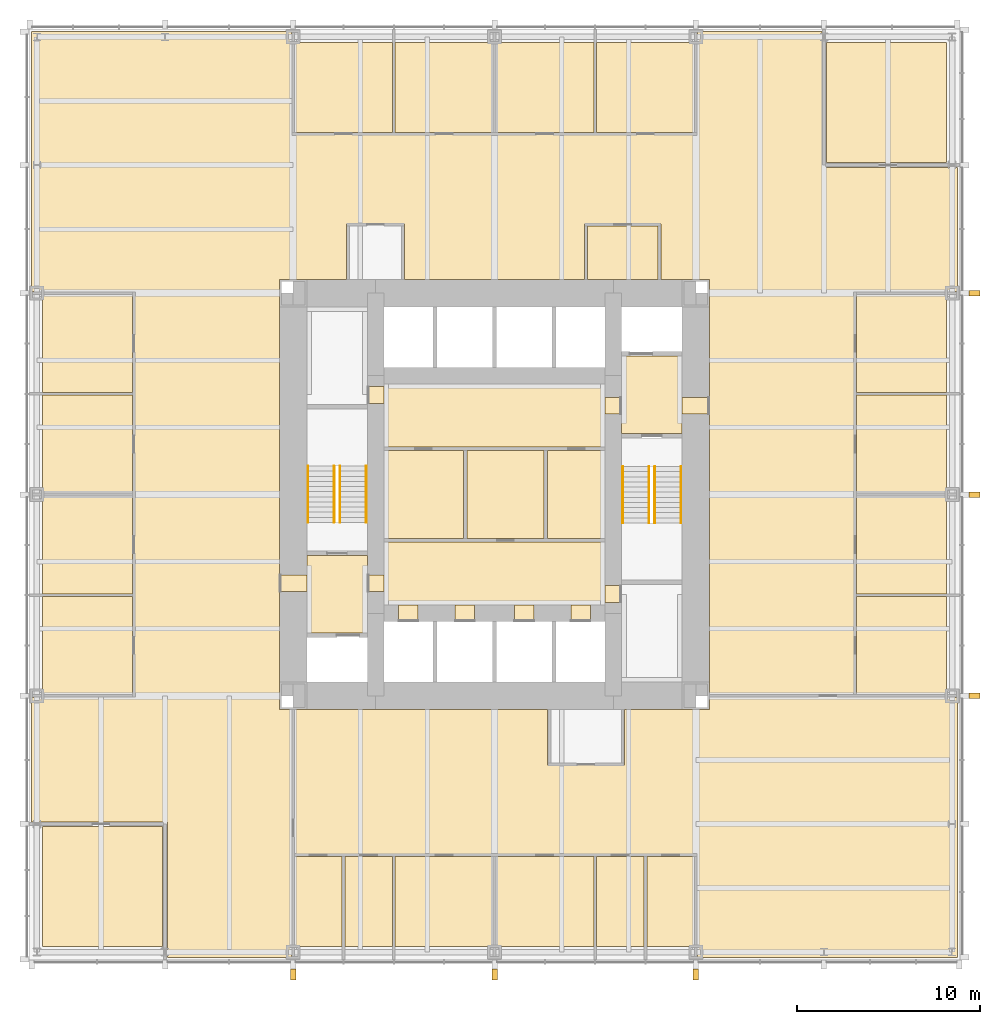
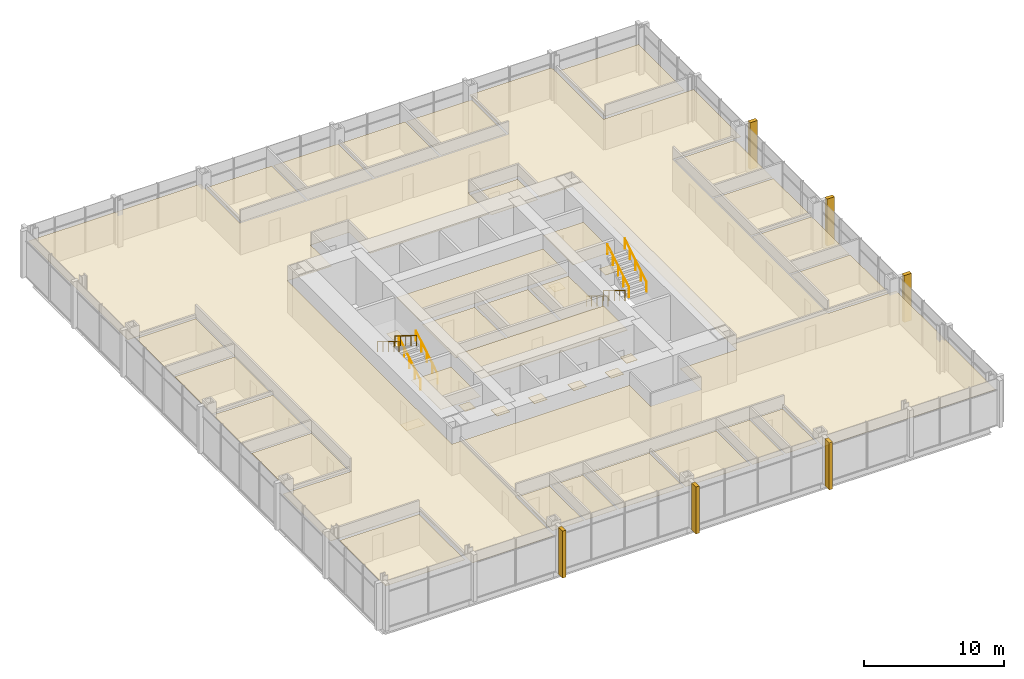
# One storey, part 12 of 12: 46 coverings, 8 railings.
"""IFC4 building model written with IfcOpenShell, lengths in metres."""

from ifc_helpers import new_model, si_unit, direction, frame, origin, origin_2d, place, context, subcontext, project, spatial, polyline, rectangle, circle, outline, extrude, material, layer, layer_set, type_object, element, save


model = new_model("IFC4")

# Units and contexts
model_context = context("Model", 3, precision=1e-05, world=origin(), true_north=direction((0.0, 1.0)))
body_context = subcontext(model_context, "Body", "Model", "MODEL_VIEW")
ifc_project = project(units=[si_unit("LENGTHUNIT", "METRE"), si_unit("AREAUNIT", "SQUARE_METRE"), si_unit("VOLUMEUNIT", "CUBIC_METRE"), si_unit("PLANEANGLEUNIT", "RADIAN"), si_unit("MASSUNIT", "GRAM", prefix="KILO")], contexts=[model_context])

# Site, building, storey
site_placement = place(None, origin())
site = spatial("IfcSite", under=ifc_project, at=site_placement, CompositionType="ELEMENT")
building_placement = place(site_placement, origin())
building = spatial("IfcBuilding", under=site, at=building_placement, Name="Trevanion Tower", CompositionType="ELEMENT")
storey_placement = place(building_placement, frame((0.0, 0.0, 73.39990234375)))
storey = spatial("IfcBuildingStorey", under=building, at=storey_placement, Name="L17", CompositionType="ELEMENT", Elevation=73.39990234375)

# Coverings
ifc_material_1 = material(Name="Fibrous plaster coffers on suspended steel grid", Category="steel")
ifc_layer_1 = layer(ifc_material_1, 0.050048828125)
ifc_layer_set_1 = layer_set([ifc_layer_1], Name="CL1 coffered fibrous plaster ceiling 50")
covering_type_1 = type_object("IfcCoveringType", Name="CL1 coffered fibrous plaster ceiling 50", PredefinedType="CEILING", material=ifc_layer_set_1)
covering_1_placement = place(storey_placement, frame((0.0, 0.0, 3.0)))
element("IfcCovering", 1, at=covering_1_placement, inside=storey, type_object=covering_type_1, Name="CL1 L17-LBS", PredefinedType="CEILING", context=body_context, shape_type="SweptSolid", body=[
    extrude(outline(polyline([(6.050048828125, -6.050048828125), (6.050048828125, -2.60009765625), (-6.050048828125, -2.60009765625), (-6.050048828125, -6.050048828125), (6.050048828125, -6.050048828125)])), origin(), (0.0, 0.0, 1.0), 0.050048828125),
])
ifc_material_2 = material(Name="Mineral fibre acoustic tiles in exposed grid", Category="mineral fibre")
ifc_layer_2 = layer(ifc_material_2, 0.02001953125)
ifc_layer_set_2 = layer_set([ifc_layer_2], Name="CL2 acoustic tile ceiling 20")
covering_type_2 = type_object("IfcCoveringType", Name="CL2 acoustic tile ceiling 20", PredefinedType="CEILING", material=ifc_layer_set_2)
covering_2_placement = place(storey_placement, frame((0.0, 0.0, 2.75)))
element("IfcCovering", 2, at=covering_2_placement, inside=storey, type_object=covering_type_2, Name="CL2 L17-LBN", PredefinedType="CEILING", context=body_context, shape_type="SweptSolid", body=[
    extrude(outline(polyline([(6.050048828125, 2.60009765625), (6.050048828125, 6.050048828125), (-6.050048828125, 6.050048828125), (-6.050048828125, 2.60009765625), (6.050048828125, 2.60009765625)])), origin(), (0.0, 0.0, 1.0), 0.02001953125),
])
covering_3_placement = place(storey_placement, frame((0.0, 0.0, 2.75)))
element("IfcCovering", 3, at=covering_3_placement, inside=storey, type_object=covering_type_2, Name="CL2 L17-OF", PredefinedType="CEILING", context=body_context, shape_type="SweptSolid", body=[
    extrude(outline(polyline([(18.14990234375, 18.14990234375), (18.14990234375, 24.699951171875), (24.699951171875, 24.699951171875), (24.699951171875, 18.14990234375), (18.14990234375, 18.14990234375)])), origin(), (0.0, 0.0, 1.0), 0.02001953125),
])
covering_4_placement = place(storey_placement, frame((0.0, 0.0, 2.75)))
element("IfcCovering", 4, at=covering_4_placement, inside=storey, type_object=covering_type_2, Name="CL2 L17-OF2", PredefinedType="CEILING", context=body_context, shape_type="SweptSolid", body=[
    extrude(outline(polyline([(-18.14990234375, -18.14990234375), (-18.14990234375, -24.699951171875), (-24.699951171875, -24.699951171875), (-24.699951171875, -18.14990234375), (-18.14990234375, -18.14990234375)])), origin(), (0.0, 0.0, 1.0), 0.02001953125),
])
covering_5_placement = place(storey_placement, frame((0.0, 0.0, 2.75)))
element("IfcCovering", 5, at=covering_5_placement, inside=storey, type_object=covering_type_2, Name="CL2 L17-MR", PredefinedType="CEILING", context=body_context, shape_type="SweptSolid", body=[
    extrude(outline(polyline([(10.925048828125, 19.77490234375), (5.574951171875, 19.77490234375), (5.574951171875, 24.699951171875), (10.925048828125, 24.699951171875), (10.925048828125, 19.77490234375)])), origin(), (0.0, 0.0, 1.0), 0.02001953125),
])
covering_6_placement = place(storey_placement, frame((0.0, 0.0, 2.75)))
element("IfcCovering", 6, at=covering_6_placement, inside=storey, type_object=covering_type_2, Name="CL2 L17-MR2", PredefinedType="CEILING", context=body_context, shape_type="SweptSolid", body=[
    extrude(outline(polyline([(5.425048828125, 19.77490234375), (0.074951171875, 19.77490234375), (0.074951171875, 24.699951171875), (5.425048828125, 24.699951171875), (5.425048828125, 19.77490234375)])), origin(), (0.0, 0.0, 1.0), 0.02001953125),
])
covering_7_placement = place(storey_placement, frame((0.0, 0.0, 2.75)))
element("IfcCovering", 7, at=covering_7_placement, inside=storey, type_object=covering_type_2, Name="CL2 L17-MR3", PredefinedType="CEILING", context=body_context, shape_type="SweptSolid", body=[
    extrude(outline(polyline([(-0.074951171875, 19.77490234375), (-5.425048828125, 19.77490234375), (-5.425048828125, 24.699951171875), (-0.074951171875, 24.699951171875), (-0.074951171875, 19.77490234375)])), origin(), (0.0, 0.0, 1.0), 0.02001953125),
])
covering_8_placement = place(storey_placement, frame((0.0, 0.0, 2.75)))
element("IfcCovering", 8, at=covering_8_placement, inside=storey, type_object=covering_type_2, Name="CL2 L17-MR4", PredefinedType="CEILING", context=body_context, shape_type="SweptSolid", body=[
    extrude(outline(polyline([(-5.574951171875, 19.77490234375), (-10.925048828125, 19.77490234375), (-10.925048828125, 24.699951171875), (-5.574951171875, 24.699951171875), (-5.574951171875, 19.77490234375)])), origin(), (0.0, 0.0, 1.0), 0.02001953125),
])
covering_9_placement = place(storey_placement, frame((0.0, 0.0, 2.75)))
element("IfcCovering", 9, at=covering_9_placement, inside=storey, type_object=covering_type_2, Name="CL2 L17-FR", PredefinedType="CEILING", context=body_context, shape_type="SweptSolid", body=[
    extrude(outline(polyline([(-10.925048828125, -19.77490234375), (-8.324951171875, -19.77490234375), (-8.324951171875, -24.699951171875), (-10.925048828125, -24.699951171875), (-10.925048828125, -19.77490234375)])), origin(), (0.0, 0.0, 1.0), 0.02001953125),
])
covering_10_placement = place(storey_placement, frame((0.0, 0.0, 2.75)))
element("IfcCovering", 10, at=covering_10_placement, inside=storey, type_object=covering_type_2, Name="CL2 L17-FR2", PredefinedType="CEILING", context=body_context, shape_type="SweptSolid", body=[
    extrude(outline(polyline([(-8.175048828125, -19.77490234375), (-5.574951171875, -19.77490234375), (-5.574951171875, -24.699951171875), (-8.175048828125, -24.699951171875), (-8.175048828125, -19.77490234375)])), origin(), (0.0, 0.0, 1.0), 0.02001953125),
])
covering_11_placement = place(storey_placement, frame((0.0, 0.0, 2.75)))
element("IfcCovering", 11, at=covering_11_placement, inside=storey, type_object=covering_type_2, Name="CL2 L17-MR5", PredefinedType="CEILING", context=body_context, shape_type="SweptSolid", body=[
    extrude(outline(polyline([(-5.425048828125, -19.77490234375), (-0.074951171875, -19.77490234375), (-0.074951171875, -24.699951171875), (-5.425048828125, -24.699951171875), (-5.425048828125, -19.77490234375)])), origin(), (0.0, 0.0, 1.0), 0.02001953125),
])
covering_12_placement = place(storey_placement, frame((0.0, 0.0, 2.75)))
element("IfcCovering", 12, at=covering_12_placement, inside=storey, type_object=covering_type_2, Name="CL2 L17-MR6", PredefinedType="CEILING", context=body_context, shape_type="SweptSolid", body=[
    extrude(outline(polyline([(0.074951171875, -19.77490234375), (5.425048828125, -19.77490234375), (5.425048828125, -24.699951171875), (0.074951171875, -24.699951171875), (0.074951171875, -19.77490234375)])), origin(), (0.0, 0.0, 1.0), 0.02001953125),
])
covering_13_placement = place(storey_placement, frame((0.0, 0.0, 2.75)))
element("IfcCovering", 13, at=covering_13_placement, inside=storey, type_object=covering_type_2, Name="CL2 L17-FR3", PredefinedType="CEILING", context=body_context, shape_type="SweptSolid", body=[
    extrude(outline(polyline([(5.574951171875, -19.77490234375), (8.175048828125, -19.77490234375), (8.175048828125, -24.699951171875), (5.574951171875, -24.699951171875), (5.574951171875, -19.77490234375)])), origin(), (0.0, 0.0, 1.0), 0.02001953125),
])
covering_14_placement = place(storey_placement, frame((0.0, 0.0, 2.75)))
element("IfcCovering", 14, at=covering_14_placement, inside=storey, type_object=covering_type_2, Name="CL2 L17-FR4", PredefinedType="CEILING", context=body_context, shape_type="SweptSolid", body=[
    extrude(outline(polyline([(8.324951171875, -19.77490234375), (10.925048828125, -19.77490234375), (10.925048828125, -24.699951171875), (8.324951171875, -24.699951171875), (8.324951171875, -19.77490234375)])), origin(), (0.0, 0.0, 1.0), 0.02001953125),
])
covering_15_placement = place(storey_placement, frame((0.0, 0.0, 2.75)))
element("IfcCovering", 15, at=covering_15_placement, inside=storey, type_object=covering_type_2, Name="CL2 L17-OF3", PredefinedType="CEILING", context=body_context, shape_type="SweptSolid", body=[
    extrude(outline(polyline([(19.77490234375, -10.925048828125), (19.77490234375, -5.574951171875), (24.699951171875, -5.574951171875), (24.699951171875, -10.925048828125), (19.77490234375, -10.925048828125)])), origin(), (0.0, 0.0, 1.0), 0.02001953125),
])
covering_16_placement = place(storey_placement, frame((0.0, 0.0, 2.75)))
element("IfcCovering", 16, at=covering_16_placement, inside=storey, type_object=covering_type_2, Name="CL2 L17-OF4", PredefinedType="CEILING", context=body_context, shape_type="SweptSolid", body=[
    extrude(outline(polyline([(19.77490234375, -5.425048828125), (19.77490234375, -0.074951171875), (24.699951171875, -0.074951171875), (24.699951171875, -5.425048828125), (19.77490234375, -5.425048828125)])), origin(), (0.0, 0.0, 1.0), 0.02001953125),
])
covering_17_placement = place(storey_placement, frame((0.0, 0.0, 2.75)))
element("IfcCovering", 17, at=covering_17_placement, inside=storey, type_object=covering_type_2, Name="CL2 L17-OF5", PredefinedType="CEILING", context=body_context, shape_type="SweptSolid", body=[
    extrude(outline(polyline([(19.77490234375, 0.074951171875), (19.77490234375, 5.425048828125), (24.699951171875, 5.425048828125), (24.699951171875, 0.074951171875), (19.77490234375, 0.074951171875)])), origin(), (0.0, 0.0, 1.0), 0.02001953125),
])
covering_18_placement = place(storey_placement, frame((0.0, 0.0, 2.75)))
element("IfcCovering", 18, at=covering_18_placement, inside=storey, type_object=covering_type_2, Name="CL2 L17-MR7", PredefinedType="CEILING", context=body_context, shape_type="SweptSolid", body=[
    extrude(outline(polyline([(19.77490234375, 5.574951171875), (19.77490234375, 10.925048828125), (24.699951171875, 10.925048828125), (24.699951171875, 5.574951171875), (19.77490234375, 5.574951171875)])), origin(), (0.0, 0.0, 1.0), 0.02001953125),
])
covering_19_placement = place(storey_placement, frame((0.0, 0.0, 2.75)))
element("IfcCovering", 19, at=covering_19_placement, inside=storey, type_object=covering_type_2, Name="CL2 L17-OF6", PredefinedType="CEILING", context=body_context, shape_type="SweptSolid", body=[
    extrude(outline(polyline([(-19.77490234375, 10.925048828125), (-19.77490234375, 5.574951171875), (-24.699951171875, 5.574951171875), (-24.699951171875, 10.925048828125), (-19.77490234375, 10.925048828125)])), origin(), (0.0, 0.0, 1.0), 0.02001953125),
])
covering_20_placement = place(storey_placement, frame((0.0, 0.0, 2.75)))
element("IfcCovering", 20, at=covering_20_placement, inside=storey, type_object=covering_type_2, Name="CL2 L17-OF7", PredefinedType="CEILING", context=body_context, shape_type="SweptSolid", body=[
    extrude(outline(polyline([(-19.77490234375, 5.425048828125), (-19.77490234375, 0.074951171875), (-24.699951171875, 0.074951171875), (-24.699951171875, 5.425048828125), (-19.77490234375, 5.425048828125)])), origin(), (0.0, 0.0, 1.0), 0.02001953125),
])
covering_21_placement = place(storey_placement, frame((0.0, 0.0, 2.75)))
element("IfcCovering", 21, at=covering_21_placement, inside=storey, type_object=covering_type_2, Name="CL2 L17-OF8", PredefinedType="CEILING", context=body_context, shape_type="SweptSolid", body=[
    extrude(outline(polyline([(-19.77490234375, -0.074951171875), (-19.77490234375, -5.425048828125), (-24.699951171875, -5.425048828125), (-24.699951171875, -0.074951171875), (-19.77490234375, -0.074951171875)])), origin(), (0.0, 0.0, 1.0), 0.02001953125),
])
covering_22_placement = place(storey_placement, frame((0.0, 0.0, 2.75)))
element("IfcCovering", 22, at=covering_22_placement, inside=storey, type_object=covering_type_2, Name="CL2 L17-MR8", PredefinedType="CEILING", context=body_context, shape_type="SweptSolid", body=[
    extrude(outline(polyline([(-19.77490234375, -5.574951171875), (-19.77490234375, -10.925048828125), (-24.699951171875, -10.925048828125), (-24.699951171875, -5.574951171875), (-19.77490234375, -5.574951171875)])), origin(), (0.0, 0.0, 1.0), 0.02001953125),
])
covering_23_placement = place(storey_placement, frame((0.0, 0.0, 2.75)))
element("IfcCovering", 23, at=covering_23_placement, inside=storey, type_object=covering_type_2, Name="CL2 L17-OP", PredefinedType="CEILING", context=body_context, shape_type="SweptSolid", body=[
    extrude(outline(polyline([(-11.0, -11.75), (-11.0, -19.679931640625), (-11.094970703125, -19.679931640625), (-11.094970703125, -25.300048828125), (-17.8798828125, -25.300048828125), (-17.8798828125, -17.8798828125), (-25.300048828125, -17.8798828125), (-25.300048828125, -11.094970703125), (-19.679931640625, -11.094970703125), (-19.679931640625, 11.094970703125), (-25.300048828125, 11.094970703125), (-25.300048828125, 25.300048828125), (-11.094970703125, 25.300048828125), (-11.094970703125, 19.679931640625), (11.094970703125, 19.679931640625), (11.094970703125, 25.300048828125), (17.8798828125, 25.300048828125), (17.8798828125, 17.8798828125), (25.300048828125, 17.8798828125), (25.300048828125, 11.094970703125), (19.679931640625, 11.094970703125), (19.679931640625, -11.0), (11.75, -11.0), (11.75, 11.75), (9.094970703125, 11.75), (9.094970703125, 14.77001953125), (4.905029296875, 14.77001953125), (4.905029296875, 11.75), (-4.905029296875, 11.75), (-4.905029296875, 14.77001953125), (-8.094970703125, 14.77001953125), (-8.094970703125, 11.75), (-11.75, 11.75), (-11.75, -11.75), (-11.0, -11.75)])), origin(), (0.0, 0.0, 1.0), 0.02001953125),
])
covering_24_placement = place(storey_placement, frame((0.0, 0.0, 2.75)))
element("IfcCovering", 24, at=covering_24_placement, inside=storey, type_object=covering_type_2, Name="CL2 L17-OP2", PredefinedType="CEILING", context=body_context, shape_type="SweptSolid", body=[
    extrude(outline(polyline([(2.905029296875, -11.75), (2.905029296875, -14.77001953125), (7.094970703125, -14.77001953125), (7.094970703125, -11.75), (11.75, -11.75), (11.75, -11.0), (19.679931640625, -11.0), (19.679931640625, -11.094970703125), (25.300048828125, -11.094970703125), (25.300048828125, -25.300048828125), (11.094970703125, -25.300048828125), (11.094970703125, -19.679931640625), (-11.0, -19.679931640625), (-11.0, -11.75), (2.905029296875, -11.75)])), origin(), (0.0, 0.0, 1.0), 0.02001953125),
])
ifc_material_3 = material(Name="Gypsum plasterboard on suspended metal furring", Category="gypsum")
ifc_layer_3 = layer(ifc_material_3, 0.012939453125)
ifc_layer_set_3 = layer_set([ifc_layer_3], Name="CL3 plasterboard ceiling 13")
covering_type_3 = type_object("IfcCoveringType", Name="CL3 plasterboard ceiling 13", PredefinedType="CEILING", material=ifc_layer_set_3)
covering_25_placement = place(storey_placement, frame((0.0, 0.0, 2.7001953125)))
element("IfcCovering", 25, at=covering_25_placement, inside=storey, type_object=covering_type_3, Name="CL3 L17-FV1", PredefinedType="CEILING", context=body_context, shape_type="SweptSolid", body=[
    extrude(outline(polyline([(10.25, 3.324951171875), (10.25, 7.574951171875), (6.949951171875, 7.574951171875), (6.949951171875, 3.324951171875), (10.25, 3.324951171875)])), origin(), (0.0, 0.0, 1.0), 0.012939453125),
])
covering_26_placement = place(storey_placement, frame((0.0, 0.0, 2.7001953125)))
element("IfcCovering", 26, at=covering_26_placement, inside=storey, type_object=covering_type_3, Name="CL3 L17-FV2", PredefinedType="CEILING", context=body_context, shape_type="SweptSolid", body=[
    extrude(outline(polyline([(-10.25, -3.324951171875), (-10.25, -7.574951171875), (-6.949951171875, -7.574951171875), (-6.949951171875, -3.324951171875), (-10.25, -3.324951171875)])), origin(), (0.0, 0.0, 1.0), 0.012939453125),
])
ifc_material_4 = material(Name="Moisture-resistant gypsum board on suspended metal furring", Category="gypsum")
ifc_layer_4 = layer(ifc_material_4, 0.01611328125)
ifc_layer_set_4 = layer_set([ifc_layer_4], Name="CL4 moisture-resistant board ceiling 16")
covering_type_4 = type_object("IfcCoveringType", Name="CL4 moisture-resistant board ceiling 16", PredefinedType="CEILING", material=ifc_layer_set_4)
covering_27_placement = place(storey_placement, frame((0.0, 0.0, 2.60009765625)))
element("IfcCovering", 27, at=covering_27_placement, inside=storey, type_object=covering_type_4, Name="CL4 L17-WCF", PredefinedType="CEILING", context=body_context, shape_type="SweptSolid", body=[
    extrude(outline(polyline([(-1.699951171875, -2.39990234375), (-1.699951171875, 2.39990234375), (-6.050048828125, 2.39990234375), (-6.050048828125, -2.39990234375), (-1.699951171875, -2.39990234375)])), origin(), (0.0, 0.0, 1.0), 0.01611328125),
])
covering_28_placement = place(storey_placement, frame((0.0, 0.0, 2.60009765625)))
element("IfcCovering", 28, at=covering_28_placement, inside=storey, type_object=covering_type_4, Name="CL4 L17-WCM", PredefinedType="CEILING", context=body_context, shape_type="SweptSolid", body=[
    extrude(outline(polyline([(2.699951171875, -2.39990234375), (2.699951171875, 2.39990234375), (-1.5, 2.39990234375), (-1.5, -2.39990234375), (2.699951171875, -2.39990234375)])), origin(), (0.0, 0.0, 1.0), 0.01611328125),
])
covering_29_placement = place(storey_placement, frame((0.0, 0.0, 2.60009765625)))
element("IfcCovering", 29, at=covering_29_placement, inside=storey, type_object=covering_type_4, Name="CL4 L17-WCA", PredefinedType="CEILING", context=body_context, shape_type="SweptSolid", body=[
    extrude(outline(polyline([(6.050048828125, -2.39990234375), (6.050048828125, 2.39990234375), (2.89990234375, 2.39990234375), (2.89990234375, -2.39990234375), (6.050048828125, -2.39990234375)])), origin(), (0.0, 0.0, 1.0), 0.01611328125),
])
covering_30_placement = place(storey_placement, frame((0.0, 0.0, 2.60009765625)))
element("IfcCovering", 30, at=covering_30_placement, inside=storey, type_object=covering_type_4, Name="CL4 L17-PA", PredefinedType="CEILING", context=body_context, shape_type="SweptSolid", body=[
    extrude(outline(polyline([(5.074951171875, 14.675048828125), (8.925048828125, 14.675048828125), (8.925048828125, 11.75), (5.074951171875, 11.75), (5.074951171875, 14.675048828125)])), origin(), (0.0, 0.0, 1.0), 0.01611328125),
])
ifc_material_5 = material(Name="Cast bronze fin on aluminium carrier", Category="aluminium")
covering_type_5 = type_object("IfcCoveringType", Name="F1 bronze fin", PredefinedType="CLADDING", material=ifc_material_5)
for number, where, z_axis, x_axis, name in (
    (31, (26.22509765625, -11.0, -0.18994140625), (0.0, 0.0, 1.0), (0.0, 1.0, 0.0), "F1 L17 east -11.0"),
    (32, (26.22509765625, 0.0, -0.18994140625), (0.0, 0.0, 1.0), (0.0, 1.0, 0.0), "F1 L17 east +0.0"),
    (33, (26.22509765625, 11.0, -0.18994140625), (0.0, 0.0, 1.0), (0.0, 1.0, 0.0), "F1 L17 east +11.0"),
    (34, (-11.0, -26.22509765625, -0.18994140625), (0.0, 0.0, 1.0), (1.0, 0.0, 0.0), "F1 L17 south -11.0"),
    (35, (0.0, -26.22509765625, -0.18994140625), (0.0, 0.0, 1.0), (1.0, 0.0, 0.0), "F1 L17 south +0.0"),
    (36, (11.0, -26.22509765625, -0.18994140625), (0.0, 0.0, 1.0), (1.0, 0.0, 0.0), "F1 L17 south +11.0"),
):
    element("IfcCovering", number, at=place(storey_placement, frame(where, z_axis=z_axis, x_axis=x_axis)), inside=storey, type_object=covering_type_5, Name=name, PredefinedType="CLADDING", context=body_context, shape_type="SweptSolid", body=[
        extrude(rectangle(XDim=0.300048828125, YDim=0.60009765625, at=origin_2d()), origin(), (0.0, 0.0, 1.0), 4.10009765625),
    ])
ifc_material_6 = material(Name="Terrazzo, brass divider strips", Category="stone")
ifc_layer_5 = layer(ifc_material_6, 0.02001953125)
ifc_layer_set_5 = layer_set([ifc_layer_5], Name="FF1 terrazzo flooring")
covering_type_6 = type_object("IfcCoveringType", Name="FF1 terrazzo flooring", PredefinedType="FLOORING", material=ifc_layer_set_5)
covering_31_placement = place(storey_placement, origin())
element("IfcCovering", 37, at=covering_31_placement, inside=storey, type_object=covering_type_6, Name="FF1 threshold 17-001", PredefinedType="FLOORING", context=body_context, shape_type="SweptSolid", body=[
    extrude(outline(polyline([(11.75, 4.392578125), (11.75, 5.3076171875), (10.25, 5.3076171875), (10.25, 4.392578125), (11.75, 4.392578125)])), origin(), (0.0, 0.0, 1.0), 0.02001953125),
])
covering_32_placement = place(storey_placement, origin())
element("IfcCovering", 38, at=covering_32_placement, inside=storey, type_object=covering_type_6, Name="FF1 threshold 17-002", PredefinedType="FLOORING", context=body_context, shape_type="SweptSolid", body=[
    extrude(outline(polyline([(-11.75, -4.392578125), (-11.75, -5.3076171875), (-10.25, -5.3076171875), (-10.25, -4.392578125), (-11.75, -4.392578125)])), origin(), (0.0, 0.0, 1.0), 0.02001953125),
])
covering_33_placement = place(storey_placement, origin())
element("IfcCovering", 39, at=covering_33_placement, inside=storey, type_object=covering_type_6, Name="FF1 threshold 17-003", PredefinedType="FLOORING", context=body_context, shape_type="SweptSolid", body=[
    extrude(outline(polyline([(6.949951171875, 4.392578125), (6.949951171875, 5.3076171875), (6.050048828125, 5.3076171875), (6.050048828125, 4.392578125), (6.949951171875, 4.392578125)])), origin(), (0.0, 0.0, 1.0), 0.02001953125),
])
covering_34_placement = place(storey_placement, origin())
element("IfcCovering", 40, at=covering_34_placement, inside=storey, type_object=covering_type_6, Name="FF1 threshold 17-004", PredefinedType="FLOORING", context=body_context, shape_type="SweptSolid", body=[
    extrude(outline(polyline([(-6.949951171875, -4.392578125), (-6.949951171875, -5.3076171875), (-6.050048828125, -5.3076171875), (-6.050048828125, -4.392578125), (-6.949951171875, -4.392578125)])), origin(), (0.0, 0.0, 1.0), 0.02001953125),
])
covering_35_placement = place(storey_placement, origin())
element("IfcCovering", 41, at=covering_35_placement, inside=storey, type_object=covering_type_6, Name="FF1 threshold 17-009", PredefinedType="FLOORING", context=body_context, shape_type="SweptSolid", body=[
    extrude(outline(polyline([(6.949951171875, -5.889892578125), (6.949951171875, -4.97509765625), (6.050048828125, -4.97509765625), (6.050048828125, -5.889892578125), (6.949951171875, -5.889892578125)])), origin(), (0.0, 0.0, 1.0), 0.02001953125),
])
covering_36_placement = place(storey_placement, origin())
element("IfcCovering", 42, at=covering_36_placement, inside=storey, type_object=covering_type_6, Name="FF1 threshold 17-010", PredefinedType="FLOORING", context=body_context, shape_type="SweptSolid", body=[
    extrude(outline(polyline([(-6.949951171875, 5.889892578125), (-6.949951171875, 4.97509765625), (-6.050048828125, 4.97509765625), (-6.050048828125, 5.889892578125), (-6.949951171875, 5.889892578125)])), origin(), (0.0, 0.0, 1.0), 0.02001953125),
])
covering_37_placement = place(storey_placement, origin())
element("IfcCovering", 43, at=covering_37_placement, inside=storey, type_object=covering_type_6, Name="FF1 threshold 17-011", PredefinedType="FLOORING", context=body_context, shape_type="SweptSolid", body=[
    extrude(outline(polyline([(-5.2333984375, -6.949951171875), (-4.16650390625, -6.949951171875), (-4.16650390625, -6.050048828125), (-5.2333984375, -6.050048828125), (-5.2333984375, -6.949951171875)])), origin(), (0.0, 0.0, 1.0), 0.02001953125),
])
covering_38_placement = place(storey_placement, origin())
element("IfcCovering", 44, at=covering_38_placement, inside=storey, type_object=covering_type_6, Name="FF1 threshold 17-012", PredefinedType="FLOORING", context=body_context, shape_type="SweptSolid", body=[
    extrude(outline(polyline([(-2.158447265625, -6.949951171875), (-1.091552734375, -6.949951171875), (-1.091552734375, -6.050048828125), (-2.158447265625, -6.050048828125), (-2.158447265625, -6.949951171875)])), origin(), (0.0, 0.0, 1.0), 0.02001953125),
])
covering_39_placement = place(storey_placement, origin())
element("IfcCovering", 45, at=covering_39_placement, inside=storey, type_object=covering_type_6, Name="FF1 threshold 17-013", PredefinedType="FLOORING", context=body_context, shape_type="SweptSolid", body=[
    extrude(outline(polyline([(1.091552734375, -6.949951171875), (2.158447265625, -6.949951171875), (2.158447265625, -6.050048828125), (1.091552734375, -6.050048828125), (1.091552734375, -6.949951171875)])), origin(), (0.0, 0.0, 1.0), 0.02001953125),
])
covering_40_placement = place(storey_placement, origin())
element("IfcCovering", 46, at=covering_40_placement, inside=storey, type_object=covering_type_6, Name="FF1 threshold 17-014", PredefinedType="FLOORING", context=body_context, shape_type="SweptSolid", body=[
    extrude(outline(polyline([(4.16650390625, -6.949951171875), (5.2333984375, -6.949951171875), (5.2333984375, -6.050048828125), (4.16650390625, -6.050048828125), (4.16650390625, -6.949951171875)])), origin(), (0.0, 0.0, 1.0), 0.02001953125),
])

# Railings
ifc_material_7 = material(Name="Stainless steel tube 40 mm", Category="steel")
railing_type = type_object("IfcRailingType", Name="HR1 handrail", PredefinedType="HANDRAIL", material=ifc_material_7)
for number, where, name in (
    (47, (7.010009765625, 1.52490234375, 0.1708984375), "HR1 ST1 L17 flight 1"),
    (48, (8.43994140625, 1.52490234375, 0.1708984375), "HR1 ST1 L17 flight 1"),
):
    element("IfcRailing", number, at=place(storey_placement, frame(where)), inside=storey, type_object=railing_type, Name=name, PredefinedType="HANDRAIL", context=body_context, shape_type="SweptSolid", body=[
        extrude(circle(Radius=0.02001953125, at=origin_2d()), frame((0.0, 0.0, 0.8798828125), z_axis=(0.0, -0.853647949592, 0.520850437417), x_axis=(1.0, 0.0, 0.0)), (0.0, 0.0, 1.0), 3.60791015625),
        extrude(circle(Radius=0.01513671875, at=origin_2d()), origin(), (0.0, 0.0, 1.0), 0.85986328125),
        extrude(circle(Radius=0.01513671875, at=origin_2d()), frame((0.0, -0.77001953125, 0.4697265625)), (0.0, 0.0, 1.0), 0.85986328125),
        extrude(circle(Radius=0.01513671875, at=origin_2d()), frame((0.0, -1.5400390625, 0.939453125)), (0.0, 0.0, 1.0), 0.85986328125),
        extrude(circle(Radius=0.01513671875, at=origin_2d()), frame((0.0, -2.309814453125, 1.409423828125)), (0.0, 0.0, 1.0), 0.85986328125),
        extrude(circle(Radius=0.01513671875, at=origin_2d()), frame((0.0, -3.079833984375, 1.879150390625)), (0.0, 0.0, 1.0), 0.85986328125),
    ])
for number, where, name in (
    (49, (8.760009765625, -1.554931640625, 2.220947265625), "HR1 ST1 L17 flight 2"),
    (50, (10.18994140625, -1.554931640625, 2.220947265625), "HR1 ST1 L17 flight 2"),
    (51, (-7.010009765625, -1.52490234375, 0.1708984375), "HR1 ST2 L17 flight 1"),
    (52, (-8.43994140625, -1.52490234375, 0.1708984375), "HR1 ST2 L17 flight 1"),
):
    element("IfcRailing", number, at=place(storey_placement, frame(where)), inside=storey, type_object=railing_type, Name=name, PredefinedType="HANDRAIL", context=body_context, shape_type="SweptSolid", body=[
        extrude(circle(Radius=0.02001953125, at=origin_2d()), frame((0.0, 0.0, 0.8798828125), z_axis=(0.0, 0.853647949592, 0.520850437417), x_axis=(-1.0, 0.0, 0.0)), (0.0, 0.0, 1.0), 3.60791015625),
        extrude(circle(Radius=0.01513671875, at=origin_2d()), origin(), (0.0, 0.0, 1.0), 0.85986328125),
        extrude(circle(Radius=0.01513671875, at=origin_2d()), frame((0.0, 0.77001953125, 0.4697265625)), (0.0, 0.0, 1.0), 0.85986328125),
        extrude(circle(Radius=0.01513671875, at=origin_2d()), frame((0.0, 1.5400390625, 0.939453125)), (0.0, 0.0, 1.0), 0.85986328125),
        extrude(circle(Radius=0.01513671875, at=origin_2d()), frame((0.0, 2.309814453125, 1.409423828125)), (0.0, 0.0, 1.0), 0.85986328125),
        extrude(circle(Radius=0.01513671875, at=origin_2d()), frame((0.0, 3.079833984375, 1.879150390625)), (0.0, 0.0, 1.0), 0.85986328125),
    ])
for number, where, name in (
    (53, (-8.760009765625, 1.554931640625, 2.220947265625), "HR1 ST2 L17 flight 2"),
    (54, (-10.18994140625, 1.554931640625, 2.220947265625), "HR1 ST2 L17 flight 2"),
):
    element("IfcRailing", number, at=place(storey_placement, frame(where)), inside=storey, type_object=railing_type, Name=name, PredefinedType="HANDRAIL", context=body_context, shape_type="SweptSolid", body=[
        extrude(circle(Radius=0.02001953125, at=origin_2d()), frame((0.0, 0.0, 0.8798828125), z_axis=(0.0, -0.853647949592, 0.520850437417), x_axis=(1.0, 0.0, 0.0)), (0.0, 0.0, 1.0), 3.60791015625),
        extrude(circle(Radius=0.01513671875, at=origin_2d()), origin(), (0.0, 0.0, 1.0), 0.85986328125),
        extrude(circle(Radius=0.01513671875, at=origin_2d()), frame((0.0, -0.77001953125, 0.4697265625)), (0.0, 0.0, 1.0), 0.85986328125),
        extrude(circle(Radius=0.01513671875, at=origin_2d()), frame((0.0, -1.5400390625, 0.939453125)), (0.0, 0.0, 1.0), 0.85986328125),
        extrude(circle(Radius=0.01513671875, at=origin_2d()), frame((0.0, -2.309814453125, 1.409423828125)), (0.0, 0.0, 1.0), 0.85986328125),
        extrude(circle(Radius=0.01513671875, at=origin_2d()), frame((0.0, -3.079833984375, 1.879150390625)), (0.0, 0.0, 1.0), 0.85986328125),
    ])

save(model, "model.ifc")
